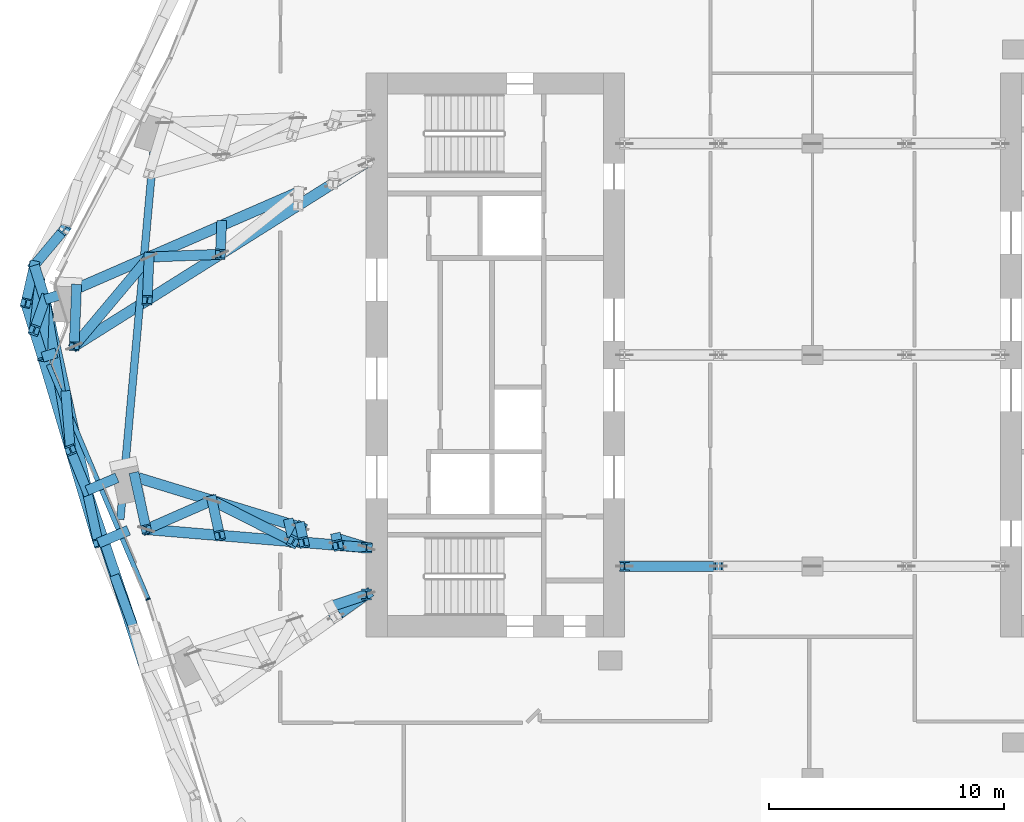
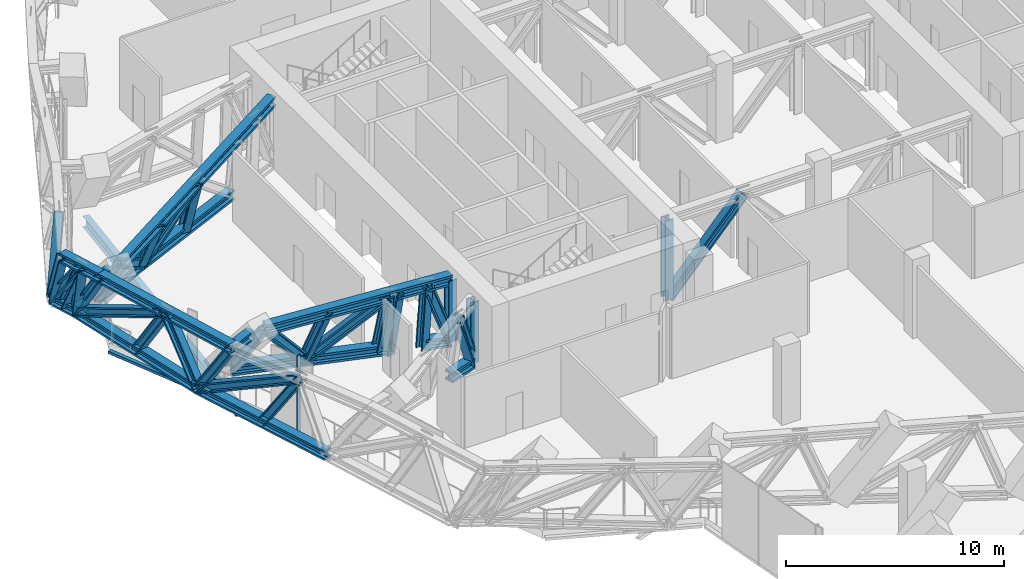
# One storey, part 6 of 31: 48 members, 1 beam, 1 element without a shape of its own.
"""IFC4 building model written with IfcOpenShell, lengths in metres."""

from ifc_helpers import new_model, si_unit, direction, frame, origin, origin_2d, place, context, subcontext, project, spatial, rectangle, i_section, extrude, material, material_profile, profile_set, type_object, element, aggregate, save


model = new_model("IFC4")

# Units and contexts
model_context = context("Model", 3, precision=1e-05, world=origin(), true_north=direction((0.0, 1.0)))
body_context = subcontext(model_context, "Body", "Model", "MODEL_VIEW")
ifc_project = project(units=[si_unit("LENGTHUNIT", "METRE"), si_unit("AREAUNIT", "SQUARE_METRE"), si_unit("VOLUMEUNIT", "CUBIC_METRE"), si_unit("PLANEANGLEUNIT", "RADIAN"), si_unit("MASSUNIT", "GRAM", prefix="KILO")], contexts=[model_context])

# Site, building, storey
site_placement = place(None, origin())
site = spatial("IfcSite", under=ifc_project, at=site_placement, CompositionType="ELEMENT")
building_placement = place(site_placement, origin())
building = spatial("IfcBuilding", under=site, at=building_placement, Name="Orlundy Tower", CompositionType="ELEMENT")
storey_placement = place(building_placement, frame((0.0, 0.0, 271.0)))
storey = spatial("IfcBuildingStorey", under=building, at=storey_placement, Name="L72", CompositionType="ELEMENT", Elevation=271.0)

# Members
ifc_material_1 = material(Name="Steel ASTM A992 Gr 50", Category="steel")
ifc_material_profile_1 = material_profile(ifc_material_1, i_section(OverallWidth=0.4423828125, OverallDepth=0.531494140625, WebThickness=0.06591796875, FlangeThickness=0.105712890625, at=origin_2d()), Name="W14X605")
ifc_profile_set_1 = profile_set([ifc_material_profile_1], Name="Steel ASTM A992 Gr 50")
member_type_1 = type_object("IfcMemberType", Name="BELT TRUSS chord W14X605", PredefinedType="CHORD", material=ifc_profile_set_1)
member_1_placement = place(storey_placement, frame((-30.88818359375, -5.77197265625, 0.28466796875), z_axis=(0.309106236675, -0.951027515085, 0.0), x_axis=(0.951027515085, 0.309106236675, 0.0)))
element("IfcMember", 1, at=member_1_placement, inside=storey, type_object=member_type_1, Name="Belt truss bottom chord BT-01A", PredefinedType="CHORD", context=body_context, shape_type="SweptSolid", body=[
    extrude(i_section(OverallWidth=0.4423828125, OverallDepth=0.531494140625, WebThickness=0.06591796875, FlangeThickness=0.105712890625, at=origin_2d()), origin(), (0.0, 0.0, 1.0), 7.939453125),
])
member_2_placement = place(storey_placement, frame((-33.12841796875, 3.81494140625, 0.28466796875), z_axis=(0.298165635927, -0.954514145287, 0.0), x_axis=(0.954514145287, 0.298165635927, 0.0)))
element("IfcMember", 2, at=member_2_placement, inside=storey, type_object=member_type_1, Name="Belt truss bottom chord BT-23B", PredefinedType="CHORD", context=body_context, shape_type="SweptSolid", body=[
    extrude(i_section(OverallWidth=0.4423828125, OverallDepth=0.531494140625, WebThickness=0.06591796875, FlangeThickness=0.105712890625, at=origin_2d()), origin(), (0.0, 0.0, 1.0), 1.525390625),
])
member_3_placement = place(storey_placement, frame((-33.4921875, 2.208251953125, 3.71533203125), z_axis=(0.298274993136, -0.954479978035, 0.0), x_axis=(0.954479978035, 0.298274993136, 0.0)))
element("IfcMember", 3, at=member_3_placement, inside=storey, type_object=member_type_1, Name="Belt truss top chord BT-23B", PredefinedType="CHORD", context=body_context, shape_type="SweptSolid", body=[
    extrude(i_section(OverallWidth=0.4423828125, OverallDepth=0.531494140625, WebThickness=0.06591796875, FlangeThickness=0.105712890625, at=origin_2d()), origin(), (0.0, 0.0, 1.0), 2.410400390625),
])
member_4_placement = place(storey_placement, frame((-32.673583984375, 2.35888671875, 0.28466796875), z_axis=(0.214473489738, -0.976729810234, 0.0), x_axis=(0.976729810234, 0.214473489738, 0.0)))
element("IfcMember", 4, at=member_4_placement, inside=storey, type_object=member_type_1, Name="Belt truss bottom chord BT-24A", PredefinedType="CHORD", context=body_context, shape_type="SweptSolid", body=[
    extrude(i_section(OverallWidth=0.4423828125, OverallDepth=0.531494140625, WebThickness=0.06591796875, FlangeThickness=0.105712890625, at=origin_2d()), origin(), (0.0, 0.0, 1.0), 8.324462890625),
])
member_5_placement = place(storey_placement, frame((-32.773193359375, -0.092529296875, 3.71533203125), z_axis=(0.287120166304, -0.957894571496, 0.0), x_axis=(0.957894571496, 0.287120166304, 0.0)))
element("IfcMember", 5, at=member_5_placement, inside=storey, type_object=member_type_1, Name="Belt truss top chord BT-24A", PredefinedType="CHORD", context=body_context, shape_type="SweptSolid", body=[
    extrude(i_section(OverallWidth=0.4423828125, OverallDepth=0.531494140625, WebThickness=0.06591796875, FlangeThickness=0.105712890625, at=origin_2d()), origin(), (0.0, 0.0, 1.0), 8.262451171875),
])
ifc_material_2 = material(Name="Steel ASTM A992 Gr 50", Category="steel")
ifc_material_profile_2 = material_profile(ifc_material_2, i_section(OverallWidth=0.42431640625, OverallDepth=0.47412109375, WebThickness=0.0478515625, FlangeThickness=0.0771484375, at=origin_2d()), Name="W14X426")
ifc_profile_set_2 = profile_set([ifc_material_profile_2], Name="Steel ASTM A992 Gr 50")
member_type_2 = type_object("IfcMemberType", Name="BELT TRUSS diagonal W14X426", PredefinedType="BRACE", material=ifc_profile_set_2)
member_6_placement = place(storey_placement, frame((-30.88818359375, -5.77197265625, 0.28466796875), z_axis=(0.282151941593, -0.829438878886, 0.482101055845), x_axis=(0.946723085501, 0.322048753109, 0.0)))
element("IfcMember", 6, at=member_6_placement, inside=storey, type_object=member_type_2, Name="Belt truss diagonal BT-01A-0", PredefinedType="BRACE", context=body_context, shape_type="SweptSolid", body=[
    extrude(i_section(OverallWidth=0.42431640625, OverallDepth=0.47412109375, WebThickness=0.0478515625, FlangeThickness=0.0771484375, at=origin_2d()), origin(), (0.0, 0.0, 1.0), 7.115966796875),
])
member_7_placement = place(storey_placement, frame((-31.843017578125, 5.35302734375, 3.71533203125), z_axis=(-0.32350639326, -0.387101667149, -0.863421051869), x_axis=(0.767322019428, -0.641261973379, 0.0)))
element("IfcMember", 7, at=member_7_placement, inside=storey, type_object=member_type_2, Name="Belt truss diagonal BT-23A-1", PredefinedType="BRACE", context=body_context, shape_type="SweptSolid", body=[
    extrude(i_section(OverallWidth=0.42431640625, OverallDepth=0.47412109375, WebThickness=0.0478515625, FlangeThickness=0.0771484375, at=origin_2d()), origin(), (0.0, 0.0, 1.0), 3.973388671875),
])
member_8_placement = place(storey_placement, frame((-33.12841796875, 3.81494140625, 0.28466796875), z_axis=(-0.000998474367, -0.626431723869, 0.779475656053), x_axis=(0.999998729731, -0.001593905706, 0.0)))
element("IfcMember", 8, at=member_8_placement, inside=storey, type_object=member_type_2, Name="Belt truss diagonal BT-23B-0", PredefinedType="BRACE", context=body_context, shape_type="SweptSolid", body=[
    extrude(i_section(OverallWidth=0.42431640625, OverallDepth=0.47412109375, WebThickness=0.0478515625, FlangeThickness=0.0771484375, at=origin_2d()), origin(), (0.0, 0.0, 1.0), 4.4013671875),
])
member_9_placement = place(storey_placement, frame((-33.1328125, 1.057861328125, 3.71533203125), z_axis=(0.12419288659, 0.351846832874, -0.927782266007), x_axis=(-0.942980532721, 0.332847885541, 0.0)))
element("IfcMember", 9, at=member_9_placement, inside=storey, type_object=member_type_2, Name="Belt truss diagonal BT-23B-1", PredefinedType="BRACE", context=body_context, shape_type="SweptSolid", body=[
    extrude(i_section(OverallWidth=0.42431640625, OverallDepth=0.47412109375, WebThickness=0.0478515625, FlangeThickness=0.0771484375, at=origin_2d()), origin(), (0.0, 0.0, 1.0), 3.69775390625),
])
member_10_placement = place(storey_placement, frame((-32.673583984375, 2.35888671875, 0.28466796875), z_axis=(0.147814943474, -0.871942082292, 0.466763052966), x_axis=(0.985933312893, 0.167139171138, 0.0)))
element("IfcMember", 10, at=member_10_placement, inside=storey, type_object=member_type_2, Name="Belt truss diagonal BT-24A-0", PredefinedType="BRACE", context=body_context, shape_type="SweptSolid", body=[
    extrude(i_section(OverallWidth=0.42431640625, OverallDepth=0.47412109375, WebThickness=0.0478515625, FlangeThickness=0.0771484375, at=origin_2d()), origin(), (0.0, 0.0, 1.0), 7.349853515625),
])
member_11_placement = place(storey_placement, frame((-31.587158203125, -4.0498046875, 3.71533203125), z_axis=(0.179142515413, -0.441380127043, -0.879256244005), x_axis=(0.926589626234, 0.37607401473, 0.0)))
element("IfcMember", 11, at=member_11_placement, inside=storey, type_object=member_type_2, Name="Belt truss diagonal BT-24A-1", PredefinedType="BRACE", context=body_context, shape_type="SweptSolid", body=[
    extrude(i_section(OverallWidth=0.42431640625, OverallDepth=0.47412109375, WebThickness=0.0478515625, FlangeThickness=0.0771484375, at=origin_2d()), origin(), (0.0, 0.0, 1.0), 3.90185546875),
])
ifc_material_3 = material(Name="Steel ASTM A992 Gr 50", Category="steel")
ifc_material_profile_3 = material_profile(ifc_material_3, i_section(OverallWidth=0.412109375, OverallDepth=0.434814453125, WebThickness=0.035888671875, FlangeThickness=0.057373046875, at=origin_2d()), Name="W14X311")
ifc_profile_set_3 = profile_set([ifc_material_profile_3], Name="Steel ASTM A992 Gr 50")
member_type_3 = type_object("IfcMemberType", Name="BELT TRUSS post W14X311", PredefinedType="POST", material=ifc_profile_set_3)
member_12_placement = place(storey_placement, frame((-29.6611328125, -9.547119140625, 0.28466796875), z_axis=(0.189899404438, -0.517383837044, 0.834417270531), x_axis=(0.938763668559, 0.344561713767, 0.0)))
element("IfcMember", 12, at=member_12_placement, inside=storey, type_object=member_type_3, Name="Belt truss post BT-01A-1", PredefinedType="POST", context=body_context, shape_type="SweptSolid", body=[
    extrude(i_section(OverallWidth=0.412109375, OverallDepth=0.434814453125, WebThickness=0.035888671875, FlangeThickness=0.057373046875, at=origin_2d()), origin(), (0.0, 0.0, 1.0), 4.111328125),
])
member_13_placement = place(storey_placement, frame((-33.12841796875, 3.81494140625, 0.28466796875), z_axis=(-0.09558583295, -0.422181454121, 0.90145780175), x_axis=(0.975314503442, -0.220820332796, 0.0)))
element("IfcMember", 13, at=member_13_placement, inside=storey, type_object=member_type_3, Name="Belt truss post BT-23A-2", PredefinedType="POST", context=body_context, shape_type="SweptSolid", body=[
    extrude(i_section(OverallWidth=0.412109375, OverallDepth=0.434814453125, WebThickness=0.035888671875, FlangeThickness=0.057373046875, at=origin_2d()), origin(), (0.0, 0.0, 1.0), 3.8056640625),
])
member_14_placement = place(storey_placement, frame((-32.90087890625, 3.0869140625, 0.28466796875), z_axis=(-0.058091869909, -0.508212137703, 0.859270479966), x_axis=(0.99353036056, -0.113566820182, 0.0)))
element("IfcMember", 14, at=member_14_placement, inside=storey, type_object=member_type_3, Name="Belt truss post BT-23B-1", PredefinedType="POST", context=body_context, shape_type="SweptSolid", body=[
    extrude(i_section(OverallWidth=0.412109375, OverallDepth=0.434814453125, WebThickness=0.035888671875, FlangeThickness=0.057373046875, at=origin_2d()), origin(), (0.0, 0.0, 1.0), 3.992431640625),
])
member_15_placement = place(storey_placement, frame((-32.673583984375, 2.35888671875, 0.28466796875), z_axis=(-0.023617105199, -0.581223905158, 0.813400887887), x_axis=(0.99917548414, -0.040599900162, 0.0)))
element("IfcMember", 15, at=member_15_placement, inside=storey, type_object=member_type_3, Name="Belt truss post BT-23B-2", PredefinedType="POST", context=body_context, shape_type="SweptSolid", body=[
    extrude(i_section(OverallWidth=0.412109375, OverallDepth=0.434814453125, WebThickness=0.035888671875, FlangeThickness=0.057373046875, at=origin_2d()), origin(), (0.0, 0.0, 1.0), 4.2177734375),
])
member_16_placement = place(storey_placement, frame((-31.781005859375, -1.70654296875, 0.28466796875), z_axis=(0.04660835328, -0.563409288132, 0.824862191794), x_axis=(0.996595703311, 0.08244394545, 0.0)))
element("IfcMember", 16, at=member_16_placement, inside=storey, type_object=member_type_3, Name="Belt truss post BT-24A-1", PredefinedType="POST", context=body_context, shape_type="SweptSolid", body=[
    extrude(i_section(OverallWidth=0.412109375, OverallDepth=0.434814453125, WebThickness=0.035888671875, FlangeThickness=0.057373046875, at=origin_2d()), origin(), (0.0, 0.0, 1.0), 4.1591796875),
])
member_17_placement = place(storey_placement, frame((-30.88818359375, -5.77197265625, 0.28466796875), z_axis=(0.11817961636, -0.542051296481, 0.83199397249), x_axis=(0.977048080238, 0.213018893299, 0.0)))
element("IfcMember", 17, at=member_17_placement, inside=storey, type_object=member_type_3, Name="Belt truss post BT-24A-2", PredefinedType="POST", context=body_context, shape_type="SweptSolid", body=[
    extrude(i_section(OverallWidth=0.412109375, OverallDepth=0.434814453125, WebThickness=0.035888671875, FlangeThickness=0.057373046875, at=origin_2d()), origin(), (0.0, 0.0, 1.0), 4.12353515625),
])
ifc_material_4 = material(Name="Steel ASTM A992 Gr 50", Category="steel")
ifc_material_profile_4 = material_profile(ifc_material_4, i_section(OverallWidth=0.43212890625, OverallDepth=0.497802734375, WebThickness=0.0556640625, FlangeThickness=0.0888671875, at=origin_2d()), Name="W14X500")
ifc_profile_set_4 = profile_set([ifc_material_profile_4], Name="Steel ASTM A992 Gr 50")
member_type_4 = type_object("IfcMemberType", Name="BELT TRUSS strut W14X500", PredefinedType="STRUT", material=ifc_profile_set_4)
for number, where, z_axis, x_axis, name in (
    (18, (-29.60400390625, -5.226806640625, 0.28466796875), (-0.920488332597, -0.390770046899, 0.0), (0.390770046899, -0.920488332597, 0.0), "Belt truss bracket C-H18"),
    (19, (-29.11669921875, -7.462158203125, 3.71533203125), (-0.920551271531, -0.390621756285, 0.0), (0.390621756285, -0.920551271531, 0.0), "Belt truss bracket C-H18"),
):
    element("IfcMember", number, at=place(storey_placement, frame(where, z_axis=z_axis, x_axis=x_axis)), inside=storey, type_object=member_type_4, Name=name, PredefinedType="STRUT", context=body_context, shape_type="SweptSolid", body=[
        extrude(i_section(OverallWidth=0.43212890625, OverallDepth=0.497802734375, WebThickness=0.0556640625, FlangeThickness=0.0888671875, at=origin_2d()), origin(), (0.0, 0.0, 1.0), 1.39501953125),
    ])
member_18_placement = place(storey_placement, frame((-32.08544921875, 2.54248046875, 0.28466796875), z_axis=(-0.954571592734, -0.297981667802, 0.0), x_axis=(0.297981667802, -0.954571592734, 0.0)))
element("IfcMember", 20, at=member_18_placement, inside=storey, type_object=member_type_4, Name="Belt truss bracket C-H19", PredefinedType="STRUT", context=body_context, shape_type="SweptSolid", body=[
    extrude(i_section(OverallWidth=0.43212890625, OverallDepth=0.497802734375, WebThickness=0.0556640625, FlangeThickness=0.0888671875, at=origin_2d()), origin(), (0.0, 0.0, 1.0), 0.6162109375),
])
member_19_placement = place(storey_placement, frame((-32.185302734375, 0.09130859375, 3.71533203125), z_axis=(-0.954423540277, -0.298455533982, 0.0), x_axis=(0.298455533982, -0.954423540277, 0.0)))
element("IfcMember", 21, at=member_19_placement, inside=storey, type_object=member_type_4, Name="Belt truss bracket C-H19", PredefinedType="STRUT", context=body_context, shape_type="SweptSolid", body=[
    extrude(i_section(OverallWidth=0.43212890625, OverallDepth=0.497802734375, WebThickness=0.0556640625, FlangeThickness=0.0888671875, at=origin_2d()), origin(), (0.0, 0.0, 1.0), 0.615966796875),
])

# Beam
ifc_material_5 = material(Name="Steel ASTM A992 Gr 50", Category="steel")
ifc_material_profile_5 = material_profile(ifc_material_5, i_section(OverallWidth=0.32373046875, OverallDepth=0.611083984375, WebThickness=0.0126953125, FlangeThickness=0.01904296875, at=origin_2d()), Name="W24X104")
ifc_profile_set_5 = profile_set([ifc_material_profile_5], Name="Steel ASTM A992 Gr 50")
beam_type = type_object("IfcBeamType", Name="CANTILEVER GIRDER beam W24X104", PredefinedType="BEAM", material=ifc_profile_set_5)
beam_placement = place(storey_placement, frame((-29.465576171875, -7.001708984375, -0.755615234375), z_axis=(0.090073277207, 0.995935140827, 0.0), x_axis=(-0.995935140827, 0.090073277207, 0.0)))
element("IfcBeam", 22, at=beam_placement, inside=storey, type_object=beam_type, Name="Cantilever girder C-H18 L72", PredefinedType="BEAM", context=body_context, shape_type="SweptSolid", body=[
    extrude(i_section(OverallWidth=0.32373046875, OverallDepth=0.611083984375, WebThickness=0.0126953125, FlangeThickness=0.01904296875, at=origin_2d()), origin(), (0.0, 0.0, 1.0), 16.707275390625),
])

# Curtain wall, members
ifc_material_6 = material(Name="Aluminium bronze anodised", Category="aluminium")
curtain_wall_type = type_object("IfcCurtainWallType", Name="CW4 wall", PredefinedType="NOTDEFINED", material=ifc_material_6)
curtain_wall_placement = place(storey_placement, origin())
curtain_wall = element("IfcCurtainWall", 23, at=curtain_wall_placement, inside=storey, type_object=curtain_wall_type, Name="CW4 run 04", PredefinedType="NOTDEFINED")
ifc_material_7 = material(Name="Aluminium bronze anodised", Category="aluminium")
ifc_material_profile_6 = material_profile(ifc_material_7, rectangle(XDim=0.199951171875, YDim=0.06005859375, at=origin_2d()), Name="CW4 mullion 60x200")
ifc_profile_set_6 = profile_set([ifc_material_profile_6], Name="Aluminium bronze anodised")
member_type_5 = type_object("IfcMemberType", Name="CW4 mullion 60x200", PredefinedType="MULLION", material=ifc_profile_set_6)
member_20_placement = place(storey_placement, frame((-28.2880859375, -10.39453125, -0.449951171875), z_axis=(0.0, 0.0, 1.0), x_axis=(-0.938690424521, -0.344761202736, 0.0)))
member_20 = element("IfcMember", 24, at=member_20_placement, type_object=member_type_5, Name="CW4 mullion 7", PredefinedType="MULLION", context=body_context, shape_type="SweptSolid", body=[
    extrude(rectangle(XDim=0.199951171875, YDim=0.06005859375, at=origin_2d()), origin(), (0.0, 0.0, 1.0), 4.449951171875),
])
ifc_material_8 = material(Name="Aluminium bronze anodised", Category="aluminium")
ifc_material_profile_7 = material_profile(ifc_material_8, rectangle(XDim=0.199951171875, YDim=0.14990234375, at=origin_2d()), Name="CW4 transom 200x150")
ifc_profile_set_7 = profile_set([ifc_material_profile_7], Name="Aluminium bronze anodised")
member_type_6 = type_object("IfcMemberType", Name="CW4 transom 200x150", PredefinedType="USERDEFINED", material=ifc_profile_set_7)
member_21_placement = place(storey_placement, frame((-28.2998046875, -10.366943359375, -0.375), z_axis=(-0.390682055419, 0.920525682191, 0.0), x_axis=(-0.920525682191, -0.390682055419, 0.0)))
member_21 = element("IfcMember", 25, at=member_21_placement, type_object=member_type_6, Name="CW4 transom", ObjectType="TRANSOM", PredefinedType="USERDEFINED", context=body_context, shape_type="SweptSolid", body=[
    extrude(rectangle(XDim=0.199951171875, YDim=0.14990234375, at=origin_2d()), origin(), (0.0, 0.0, 1.0), 10.812255859375),
])
aggregate(curtain_wall, [member_20, member_21])

# Members
ifc_material_9 = material(Name="Steel ASTM A992 Gr 50", Category="steel")
ifc_material_profile_8 = material_profile(ifc_material_9, i_section(OverallWidth=0.454345703125, OverallDepth=0.569580078125, WebThickness=0.077880859375, FlangeThickness=0.124755859375, at=origin_2d()), Name="W14X730")
ifc_profile_set_8 = profile_set([ifc_material_profile_8], Name="Steel ASTM A992 Gr 50")
member_type_7 = type_object("IfcMemberType", Name="OUTRIGGER TRUSS chord W14X730", PredefinedType="CHORD", material=ifc_profile_set_8)
member_22_placement = place(storey_placement, frame((-18.97998046875, -10.199951171875, 0.28466796875), z_axis=(-0.948442798182, -0.316948353168, 0.0), x_axis=(0.316948353168, -0.948442798182, 0.0)))
element("IfcMember", 26, at=member_22_placement, inside=storey, type_object=member_type_7, Name="Outrigger truss bottom chord OR-W-C-H17", PredefinedType="CHORD", context=body_context, shape_type="SweptSolid", body=[
    extrude(i_section(OverallWidth=0.454345703125, OverallDepth=0.569580078125, WebThickness=0.077880859375, FlangeThickness=0.124755859375, at=origin_2d()), origin(), (0.0, 0.0, 1.0), 1.6259765625),
])
member_23_placement = place(storey_placement, frame((-18.97998046875, -8.199951171875, 0.28466796875), z_axis=(-0.956422199644, 0.291987287444, 0.0), x_axis=(-0.291987287444, -0.956422199644, 0.0)))
element("IfcMember", 27, at=member_23_placement, inside=storey, type_object=member_type_7, Name="Outrigger truss bottom chord OR-W-C-H18", PredefinedType="CHORD", context=body_context, shape_type="SweptSolid", body=[
    extrude(i_section(OverallWidth=0.454345703125, OverallDepth=0.569580078125, WebThickness=0.077880859375, FlangeThickness=0.124755859375, at=origin_2d()), origin(), (0.0, 0.0, 1.0), 1.341064453125),
])
member_24_placement = place(storey_placement, frame((-21.792724609375, -7.34130859375, 0.28466796875), z_axis=(-0.956415001671, 0.292010863802, 0.0), x_axis=(-0.292010863802, -0.956415001671, 0.0)))
element("IfcMember", 28, at=member_24_placement, inside=storey, type_object=member_type_7, Name="Outrigger truss bottom chord OR-W-C-H182", PredefinedType="CHORD", context=body_context, shape_type="SweptSolid", body=[
    extrude(i_section(OverallWidth=0.454345703125, OverallDepth=0.569580078125, WebThickness=0.077880859375, FlangeThickness=0.124755859375, at=origin_2d()), origin(), (0.0, 0.0, 1.0), 7.37744140625),
])
member_25_placement = place(storey_placement, frame((-18.97998046875, -8.199951171875, 3.71533203125), z_axis=(-0.9965825059, 0.082603322784, 0.0), x_axis=(-0.082603322784, -0.9965825059, 0.0)))
element("IfcMember", 29, at=member_25_placement, inside=storey, type_object=member_type_7, Name="Outrigger truss top chord OR-W-C-H18", PredefinedType="CHORD", context=body_context, shape_type="SweptSolid", body=[
    extrude(i_section(OverallWidth=0.454345703125, OverallDepth=0.569580078125, WebThickness=0.077880859375, FlangeThickness=0.124755859375, at=origin_2d()), origin(), (0.0, 0.0, 1.0), 9.41357421875),
])
member_26_placement = place(storey_placement, frame((-21.871826171875, 6.941162109375, 0.28466796875), z_axis=(-0.91690407926, -0.399107641416, 0.0), x_axis=(0.399107641416, -0.91690407926, 0.0)))
element("IfcMember", 30, at=member_26_placement, inside=storey, type_object=member_type_7, Name="Outrigger truss bottom chord OR-W-C-H192", PredefinedType="CHORD", context=body_context, shape_type="SweptSolid", body=[
    extrude(i_section(OverallWidth=0.454345703125, OverallDepth=0.569580078125, WebThickness=0.077880859375, FlangeThickness=0.124755859375, at=origin_2d()), origin(), (0.0, 0.0, 1.0), 10.31787109375),
])
member_27_placement = place(storey_placement, frame((-18.97998046875, 8.199951171875, 3.71533203125), z_axis=(-0.846599366914, -0.532230694287, 0.0), x_axis=(0.532230694287, -0.846599366914, 0.0)))
element("IfcMember", 31, at=member_27_placement, inside=storey, type_object=member_type_7, Name="Outrigger truss top chord OR-W-C-H19", PredefinedType="CHORD", context=body_context, shape_type="SweptSolid", body=[
    extrude(i_section(OverallWidth=0.454345703125, OverallDepth=0.569580078125, WebThickness=0.077880859375, FlangeThickness=0.124755859375, at=origin_2d()), origin(), (0.0, 0.0, 1.0), 14.708251953125),
])
ifc_material_10 = material(Name="Steel ASTM A992 Gr 50", Category="steel")
ifc_material_profile_9 = material_profile(ifc_material_10, i_section(OverallWidth=0.43212890625, OverallDepth=0.497802734375, WebThickness=0.0556640625, FlangeThickness=0.0888671875, at=origin_2d()), Name="W14X500")
ifc_profile_set_9 = profile_set([ifc_material_profile_9], Name="Steel ASTM A992 Gr 50")
member_type_8 = type_object("IfcMemberType", Name="OUTRIGGER TRUSS diagonal W14X500", PredefinedType="BRACE", material=ifc_profile_set_9)
member_28_placement = place(storey_placement, frame((-18.97998046875, -10.199951171875, 0.28466796875), z_axis=(-0.347615127033, -0.246806740193, 0.904571808345), x_axis=(0.57892191908, -0.81538298462, 0.0)))
element("IfcMember", 32, at=member_28_placement, inside=storey, type_object=member_type_8, Name="Outrigger truss diagonal OR-W-C-H17-0", PredefinedType="BRACE", context=body_context, shape_type="SweptSolid", body=[
    extrude(i_section(OverallWidth=0.43212890625, OverallDepth=0.497802734375, WebThickness=0.0556640625, FlangeThickness=0.0888671875, at=origin_2d()), origin(), (0.0, 0.0, 1.0), 3.79248046875),
])
member_29_placement = place(storey_placement, frame((-18.97998046875, -8.199951171875, 0.28466796875), z_axis=(-0.334745765878, 0.027750249714, 0.941899780161), x_axis=(-0.082616083207, -0.996581448149, 0.0)))
element("IfcMember", 33, at=member_29_placement, inside=storey, type_object=member_type_8, Name="Outrigger truss diagonal OR-W-C-H18-0", PredefinedType="BRACE", context=body_context, shape_type="SweptSolid", body=[
    extrude(i_section(OverallWidth=0.43212890625, OverallDepth=0.497802734375, WebThickness=0.0556640625, FlangeThickness=0.0888671875, at=origin_2d()), origin(), (0.0, 0.0, 1.0), 3.642333984375),
])
member_30_placement = place(storey_placement, frame((-21.792724609375, -7.34130859375, 0.28466796875), z_axis=(-0.089925019921, -0.171471932396, 0.981076381936), x_axis=(0.885605581266, -0.464438106136, 0.0)))
element("IfcMember", 34, at=member_30_placement, inside=storey, type_object=member_type_8, Name="Outrigger truss diagonal OR-W-C-H18-2", PredefinedType="BRACE", context=body_context, shape_type="SweptSolid", body=[
    extrude(i_section(OverallWidth=0.43212890625, OverallDepth=0.497802734375, WebThickness=0.0556640625, FlangeThickness=0.0888671875, at=origin_2d()), origin(), (0.0, 0.0, 1.0), 3.496826171875),
])
member_31_placement = place(storey_placement, frame((-22.107177734375, -7.94091796875, 3.71533203125), z_axis=(-0.66746764108, 0.338289349741, -0.663360583667), x_axis=(-0.452077236734, -0.891978795727, 0.0)))
element("IfcMember", 35, at=member_31_placement, inside=storey, type_object=member_type_8, Name="Outrigger truss diagonal OR-W-C-H18-3", PredefinedType="BRACE", context=body_context, shape_type="SweptSolid", body=[
    extrude(i_section(OverallWidth=0.43212890625, OverallDepth=0.497802734375, WebThickness=0.0556640625, FlangeThickness=0.0888671875, at=origin_2d()), origin(), (0.0, 0.0, 1.0), 5.171630859375),
])
member_32_placement = place(storey_placement, frame((-25.55908203125, -6.19140625, 0.28466796875), z_axis=(-0.609511038669, -0.26774304382, 0.746196995589), x_axis=(0.402182527053, -0.915559509225, 0.0)))
element("IfcMember", 36, at=member_32_placement, inside=storey, type_object=member_type_8, Name="Outrigger truss diagonal OR-W-C-H18-4", PredefinedType="BRACE", context=body_context, shape_type="SweptSolid", body=[
    extrude(i_section(OverallWidth=0.43212890625, OverallDepth=0.497802734375, WebThickness=0.0556640625, FlangeThickness=0.0888671875, at=origin_2d()), origin(), (0.0, 0.0, 1.0), 4.597412109375),
])
member_33_placement = place(storey_placement, frame((-25.2060546875, 4.285888671875, 3.71533203125), z_axis=(-0.662752616087, -0.025830522244, -0.748392780557), x_axis=(0.038945038316, -0.999241354224, 0.0)))
element("IfcMember", 37, at=member_33_placement, inside=storey, type_object=member_type_8, Name="Outrigger truss diagonal OR-W-C-H19-3", PredefinedType="BRACE", context=body_context, shape_type="SweptSolid", body=[
    extrude(i_section(OverallWidth=0.43212890625, OverallDepth=0.497802734375, WebThickness=0.0556640625, FlangeThickness=0.0888671875, at=origin_2d()), origin(), (0.0, 0.0, 1.0), 4.583984375),
])
member_34_placement = place(storey_placement, frame((-28.244140625, 4.16748046875, 0.28466796875), z_axis=(-0.528812836555, -0.629658663546, 0.56911066702), x_axis=(0.765765020731, -0.643120465407, 0.0)))
element("IfcMember", 38, at=member_34_placement, inside=storey, type_object=member_type_8, Name="Outrigger truss diagonal OR-W-C-H19-4", PredefinedType="BRACE", context=body_context, shape_type="SweptSolid", body=[
    extrude(i_section(OverallWidth=0.43212890625, OverallDepth=0.497802734375, WebThickness=0.0556640625, FlangeThickness=0.0888671875, at=origin_2d()), origin(), (0.0, 0.0, 1.0), 6.028076171875),
])
ifc_material_11 = material(Name="Steel ASTM A992 Gr 50", Category="steel")
ifc_material_profile_10 = material_profile(ifc_material_11, i_section(OverallWidth=0.41845703125, OverallDepth=0.455078125, WebThickness=0.0419921875, FlangeThickness=0.067626953125, at=origin_2d()), Name="W14X370")
ifc_profile_set_10 = profile_set([ifc_material_profile_10], Name="Steel ASTM A992 Gr 50")
member_type_9 = type_object("IfcMemberType", Name="OUTRIGGER TRUSS post W14X370", PredefinedType="POST", material=ifc_profile_set_10)
for number, where, z_axis, x_axis, name in (
    (39, (-18.97998046875, -10.199951171875, 0.28466796875), (0.0, 0.0, 1.0), (1.0, 0.0, 0.0), "Outrigger truss post OR-W-C-H17-0"),
    (40, (-18.97998046875, -8.199951171875, 0.28466796875), (0.0, 0.0, 1.0), (1.0, 0.0, 0.0), "Outrigger truss post OR-W-C-H18-0"),
):
    element("IfcMember", number, at=place(storey_placement, frame(where, z_axis=z_axis, x_axis=x_axis)), inside=storey, type_object=member_type_9, Name=name, PredefinedType="POST", context=body_context, shape_type="SweptSolid", body=[
        extrude(i_section(OverallWidth=0.41845703125, OverallDepth=0.455078125, WebThickness=0.0419921875, FlangeThickness=0.067626953125, at=origin_2d()), origin(), (0.0, 0.0, 1.0), 3.4306640625),
    ])
member_35_placement = place(storey_placement, frame((-20.2626953125, -7.808349609375, 0.0), z_axis=(0.017030563561, -0.077947579376, 0.996811985669), x_axis=(0.976953544828, 0.213452035004, 0.0)))
element("IfcMember", 41, at=member_35_placement, inside=storey, type_object=member_type_9, Name="Outrigger truss post OR-W-C-H18-1", PredefinedType="POST", context=body_context, shape_type="SweptSolid", body=[
    extrude(i_section(OverallWidth=0.41845703125, OverallDepth=0.455078125, WebThickness=0.0419921875, FlangeThickness=0.067626953125, at=origin_2d()), origin(), (0.0, 0.0, 1.0), 3.727294921875),
])
member_36_placement = place(storey_placement, frame((-21.792724609375, -7.34130859375, 0.0), z_axis=(0.036827270501, -0.168861772824, 0.98495149821), x_axis=(0.97703419254, 0.213082581662, 0.0)))
element("IfcMember", 42, at=member_36_placement, inside=storey, type_object=member_type_9, Name="Outrigger truss post OR-W-C-H18-2", PredefinedType="POST", context=body_context, shape_type="SweptSolid", body=[
    extrude(i_section(OverallWidth=0.41845703125, OverallDepth=0.455078125, WebThickness=0.0419921875, FlangeThickness=0.067626953125, at=origin_2d()), origin(), (0.0, 0.0, 1.0), 3.772216796875),
])
member_37_placement = place(storey_placement, frame((-22.26953125, -7.19580078125, 0.28466796875), z_axis=(0.046196639736, -0.212018262369, 0.976173205378), x_axis=(0.977075125127, 0.212894809374, 0.0)))
element("IfcMember", 43, at=member_37_placement, inside=storey, type_object=member_type_9, Name="Outrigger truss post OR-W-C-H18-3", PredefinedType="POST", context=body_context, shape_type="SweptSolid", body=[
    extrude(i_section(OverallWidth=0.41845703125, OverallDepth=0.455078125, WebThickness=0.0419921875, FlangeThickness=0.067626953125, at=origin_2d()), origin(), (0.0, 0.0, 1.0), 3.514404296875),
])
member_38_placement = place(storey_placement, frame((-25.55908203125, -6.19140625, 0.28466796875), z_axis=(0.086551083432, -0.396925479539, 0.913760949948), x_axis=(0.977041817208, 0.213047617743, 0.0)))
element("IfcMember", 44, at=member_38_placement, inside=storey, type_object=member_type_9, Name="Outrigger truss post OR-W-C-H18-4", PredefinedType="POST", context=body_context, shape_type="SweptSolid", body=[
    extrude(i_section(OverallWidth=0.41845703125, OverallDepth=0.455078125, WebThickness=0.0419921875, FlangeThickness=0.067626953125, at=origin_2d()), origin(), (0.0, 0.0, 1.0), 3.75439453125),
])
member_39_placement = place(storey_placement, frame((-28.8486328125, -5.18701171875, 0.28466796875), z_axis=(0.118175823491, -0.542093106155, 0.83196727039), x_axis=(0.977052922251, 0.212996683357, 0.0)))
element("IfcMember", 45, at=member_39_placement, inside=storey, type_object=member_type_9, Name="Outrigger truss post OR-W-C-H18-5", PredefinedType="POST", context=body_context, shape_type="SweptSolid", body=[
    extrude(i_section(OverallWidth=0.41845703125, OverallDepth=0.455078125, WebThickness=0.0419921875, FlangeThickness=0.067626953125, at=origin_2d()), origin(), (0.0, 0.0, 1.0), 4.12353515625),
])
member_40_placement = place(storey_placement, frame((-25.156005859375, 5.51171875, 0.28466796875), z_axis=(-0.01373671416, -0.336448984365, 0.941601499363), x_axis=(0.999167556567, -0.040794532782, 0.0)))
element("IfcMember", 46, at=member_40_placement, inside=storey, type_object=member_type_9, Name="Outrigger truss post OR-W-C-H19-3", PredefinedType="POST", context=body_context, shape_type="SweptSolid", body=[
    extrude(i_section(OverallWidth=0.41845703125, OverallDepth=0.455078125, WebThickness=0.0419921875, FlangeThickness=0.067626953125, at=origin_2d()), origin(), (0.0, 0.0, 1.0), 3.6435546875),
])
member_41_placement = place(storey_placement, frame((-28.244140625, 4.16748046875, 0.28466796875), z_axis=(-0.019252704336, -0.472287023946, 0.881234531999), x_axis=(0.99917014809, -0.040731009888, 0.0)))
element("IfcMember", 47, at=member_41_placement, inside=storey, type_object=member_type_9, Name="Outrigger truss post OR-W-C-H19-4", PredefinedType="POST", context=body_context, shape_type="SweptSolid", body=[
    extrude(i_section(OverallWidth=0.41845703125, OverallDepth=0.455078125, WebThickness=0.0419921875, FlangeThickness=0.067626953125, at=origin_2d()), origin(), (0.0, 0.0, 1.0), 3.89306640625),
])
member_42_placement = place(storey_placement, frame((-31.332275390625, 2.8232421875, 0.28466796875), z_axis=(-0.023617105199, -0.581223905158, 0.813400887887), x_axis=(0.99917548414, -0.040599900162, 0.0)))
element("IfcMember", 48, at=member_42_placement, inside=storey, type_object=member_type_9, Name="Outrigger truss post OR-W-C-H19-5", PredefinedType="POST", context=body_context, shape_type="SweptSolid", body=[
    extrude(i_section(OverallWidth=0.41845703125, OverallDepth=0.455078125, WebThickness=0.0419921875, FlangeThickness=0.067626953125, at=origin_2d()), origin(), (0.0, 0.0, 1.0), 4.2177734375),
])
ifc_material_12 = material(Name="Steel ASTM A992 Gr 50", Category="steel")
ifc_material_profile_11 = material_profile(ifc_material_12, i_section(OverallWidth=0.43212890625, OverallDepth=0.497802734375, WebThickness=0.0556640625, FlangeThickness=0.0888671875, at=origin_2d()), Name="W14X500")
ifc_profile_set_11 = profile_set([ifc_material_profile_11], Name="Steel ASTM A992 Gr 50")
member_type_10 = type_object("IfcMemberType", Name="PORTAL TRUSS diagonal W14X500", PredefinedType="BRACE", material=ifc_profile_set_11)
member_43_placement = place(storey_placement, frame((-8.0, -9.0, -0.734619140625), z_axis=(0.668506986445, 0.0, 0.743705861934), x_axis=(0.0, 1.0, 0.0)))
element("IfcMember", 49, at=member_43_placement, inside=storey, type_object=member_type_10, Name="Portal truss diagonal PT-01-0", PredefinedType="BRACE", context=body_context, shape_type="SweptSolid", body=[
    extrude(i_section(OverallWidth=0.43212890625, OverallDepth=0.497802734375, WebThickness=0.0556640625, FlangeThickness=0.0888671875, at=origin_2d()), origin(), (0.0, 0.0, 1.0), 5.9833984375),
])
ifc_material_13 = material(Name="Steel ASTM A992 Gr 50", Category="steel")
ifc_material_profile_12 = material_profile(ifc_material_13, i_section(OverallWidth=0.41845703125, OverallDepth=0.455078125, WebThickness=0.0419921875, FlangeThickness=0.067626953125, at=origin_2d()), Name="W14X370")
ifc_profile_set_12 = profile_set([ifc_material_profile_12], Name="Steel ASTM A992 Gr 50")
member_type_11 = type_object("IfcMemberType", Name="PORTAL TRUSS post W14X370", PredefinedType="POST", material=ifc_profile_set_12)
member_44_placement = place(storey_placement, frame((-8.0, -9.0, -0.734619140625), z_axis=(0.0, 0.0, 1.0), x_axis=(1.0, 0.0, 0.0)))
element("IfcMember", 50, at=member_44_placement, inside=storey, type_object=member_type_11, Name="Portal truss post PT-01-0", PredefinedType="POST", context=body_context, shape_type="SweptSolid", body=[
    extrude(i_section(OverallWidth=0.41845703125, OverallDepth=0.455078125, WebThickness=0.0419921875, FlangeThickness=0.067626953125, at=origin_2d()), origin(), (0.0, 0.0, 1.0), 4.449951171875),
])

save(model, "model.ifc")
